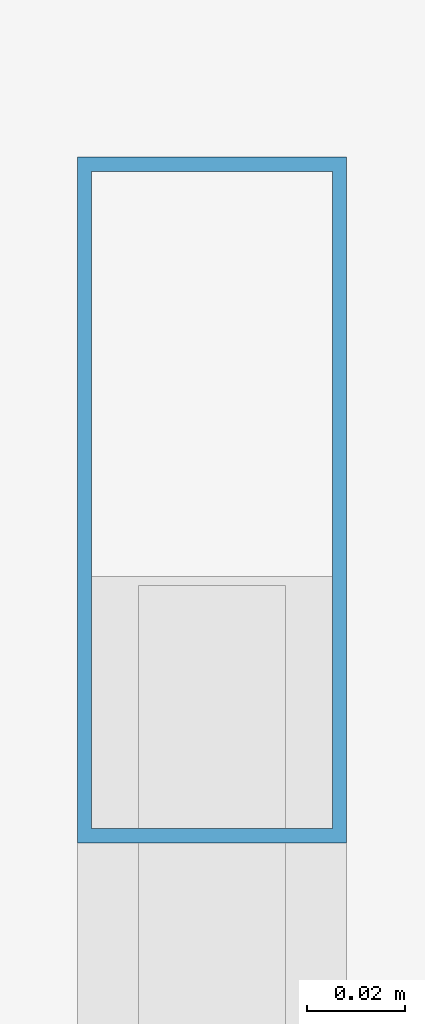
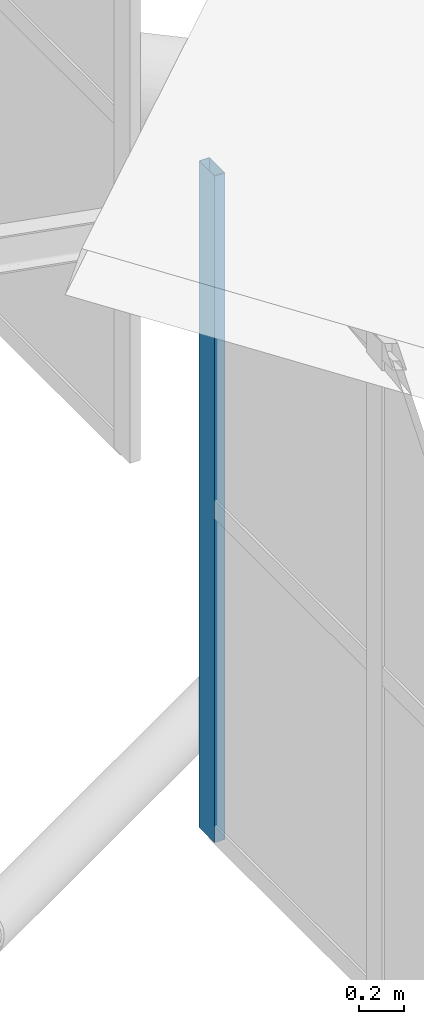
# One storey, part 143 of 397: 1 member, 1 element without a shape of its own.
"""IFC4 building model written with IfcOpenShell, lengths in metres."""

from ifc_helpers import new_model, si_unit, direction, frame, origin, origin_2d, place, context, subcontext, project, spatial, hollow_rectangle, extrude, material, material_profile, profile_set, type_object, element, aggregate, save


model = new_model("IFC4")

# Units and contexts
model_context = context("Model", 3, precision=1e-05, world=origin(), true_north=direction((0.0, 1.0)))
body_context = subcontext(model_context, "Body", "Model", "MODEL_VIEW")
ifc_project = project(units=[si_unit("LENGTHUNIT", "METRE"), si_unit("AREAUNIT", "SQUARE_METRE"), si_unit("VOLUMEUNIT", "CUBIC_METRE"), si_unit("PLANEANGLEUNIT", "RADIAN"), si_unit("MASSUNIT", "GRAM", prefix="KILO")], contexts=[model_context])

# Site, building, storey
site_placement = place(None, origin())
site = spatial("IfcSite", under=ifc_project, at=site_placement, CompositionType="ELEMENT")
building_placement = place(site_placement, origin())
building = spatial("IfcBuilding", under=site, at=building_placement, Name="Qandorah Velis Arena", CompositionType="ELEMENT")
storey_placement = place(building_placement, frame((0.0, 0.0, 27.5)))
storey = spatial("IfcBuildingStorey", under=building, at=storey_placement, Name="RF", CompositionType="ELEMENT", Elevation=27.5)

# Curtain wall, member
ifc_material_1 = material(Name="Solar-control low-E double glazing", Category="glass")
curtain_wall_type = type_object("IfcCurtainWallType", Name="ARC-CW-SYS13", PredefinedType="USERDEFINED", material=ifc_material_1)
curtain_wall_placement = place(storey_placement, origin())
curtain_wall = element("IfcCurtainWall", 1, at=curtain_wall_placement, inside=storey, type_object=curtain_wall_type, Name="Unitised curtain wall MON-2-1", ObjectType="UNITISED CURTAIN WALL", PredefinedType="USERDEFINED")
ifc_material_2 = material(Name="Champagne-bronze anodized aluminium 6063-T6", Category="aluminium")
ifc_material_profile = material_profile(ifc_material_2, hollow_rectangle(XDim=0.054931640625, YDim=0.139892578125, WallThickness=0.0029296875, at=origin_2d()), Name="ALU MULLION 55x140")
ifc_profile_set = profile_set([ifc_material_profile], Name="Champagne-bronze anodized aluminium 6063-T6")
member_type = type_object("IfcMemberType", Name="ARC-CWM-140", PredefinedType="MULLION", material=ifc_profile_set)
member_placement = place(storey_placement, frame((108.0, 35.62255859375, 3.5263671875), z_axis=(0.0, 0.0, 1.0), x_axis=(-1.0, 0.0, 0.0)))
member = element("IfcMember", 2, at=member_placement, type_object=member_type, Name="CW13 mullion 10", PredefinedType="MULLION", context=body_context, shape_type="SweptSolid", body=[
    extrude(hollow_rectangle(XDim=0.054931640625, YDim=0.139892578125, WallThickness=0.0029296875, at=origin_2d()), origin(), (0.0, 0.0, 1.0), 3.630126953125),
])
aggregate(curtain_wall, [member])

save(model, "model.ifc")
